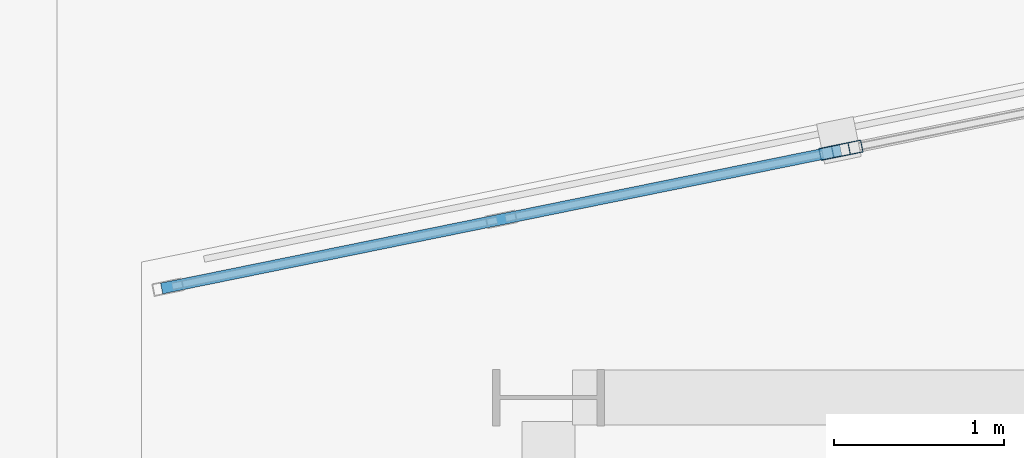
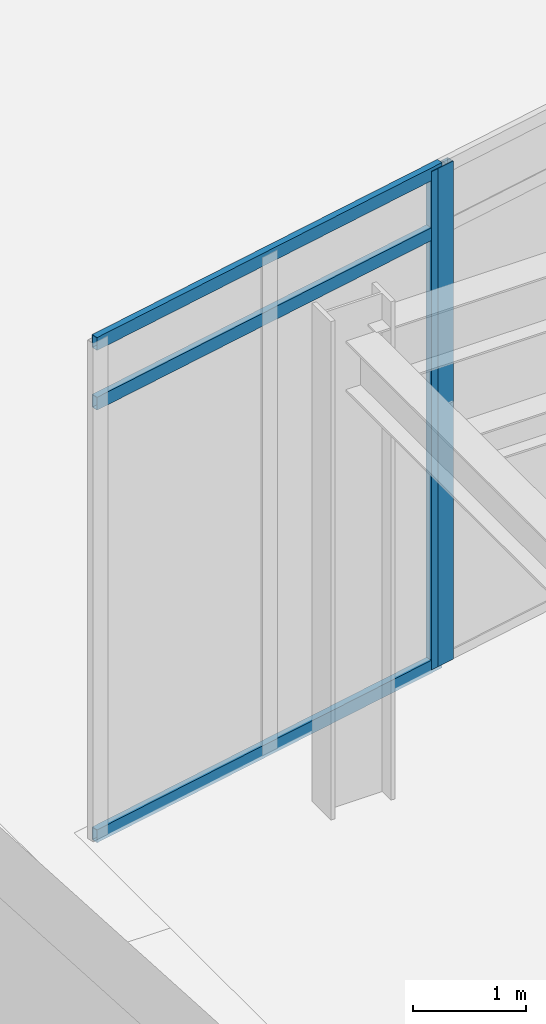
# One storey, part 44 of 94: 5 members, 2 elements without a shape of their own.
"""IFC4 building model written with IfcOpenShell, lengths in metres."""

from ifc_helpers import new_model, si_unit, direction, frame, origin, origin_2d, place, context, subcontext, project, spatial, hollow_rectangle, extrude, material, layer, layer_set, material_profile, profile_set, type_object, element, aggregate, save


model = new_model("IFC4")

# Units and contexts
model_context = context("Model", 3, precision=1e-05, world=origin(), true_north=direction((0.0, 1.0)))
body_context = subcontext(model_context, "Body", "Model", "MODEL_VIEW")
ifc_project = project(units=[si_unit("LENGTHUNIT", "METRE"), si_unit("AREAUNIT", "SQUARE_METRE"), si_unit("VOLUMEUNIT", "CUBIC_METRE"), si_unit("PLANEANGLEUNIT", "RADIAN"), si_unit("MASSUNIT", "GRAM", prefix="KILO")], contexts=[model_context])

# Site, building, storey
site_placement = place(None, origin())
site = spatial("IfcSite", under=ifc_project, at=site_placement, CompositionType="ELEMENT")
building_placement = place(site_placement, origin())
building = spatial("IfcBuilding", under=site, at=building_placement, Name="Sollismere Congress Hotel", CompositionType="ELEMENT")
storey_placement = place(building_placement, origin())
storey = spatial("IfcBuildingStorey", under=building, at=storey_placement, Name="L00", CompositionType="ELEMENT", Elevation=0.0)

# Curtain wall, member
ifc_material_1 = material(Name="Anodized Bronze Curtain Wall & Low-E Triple Glazing", Category="glass")
ifc_layer = layer(ifc_material_1, 0.199951171875, Name="Anodized Bronze Curtain Wall & Low-E Triple Glazing")
ifc_layer_set = layer_set([ifc_layer], Name="Anodized Bronze Curtain Wall & Low-E Triple Glazing")
curtain_wall_type = type_object("IfcCurtainWallType", Name="CW-GLZ36", PredefinedType="USERDEFINED", material=ifc_layer_set)
curtain_wall_1_placement = place(storey_placement, origin())
curtain_wall_1 = element("IfcCurtainWall", 1, at=curtain_wall_1_placement, inside=storey, type_object=curtain_wall_type, Name="Unitised curtain wall CW-L00-065", ObjectType="UNITISED CURTAIN WALL", PredefinedType="USERDEFINED")
ifc_material_2 = material(Name="Anodized Aluminum 6063-T6", Category="aluminium")
ifc_material_profile_1 = material_profile(ifc_material_2, hollow_rectangle(XDim=0.074951171875, YDim=0.179931640625, WallThickness=0.0048828125, at=origin_2d()), Name="ALU180X75X5")
ifc_profile_set_1 = profile_set([ifc_material_profile_1], Name="Anodized Aluminum 6063-T6")
member_type_1 = type_object("IfcMemberType", Name="ML-CW180", PredefinedType="MULLION", material=ifc_profile_set_1)
member_1_placement = place(storey_placement, frame((62.087890625, 103.851806640625, 0.0), z_axis=(0.0, 0.0, 1.0), x_axis=(-0.199367934417, 0.979924704621, 0.0)))
member_1 = element("IfcMember", 2, at=member_1_placement, type_object=member_type_1, Name="CWL-CW-L00-065-ML03", PredefinedType="MULLION", context=body_context, shape_type="SweptSolid", body=[
    extrude(hollow_rectangle(XDim=0.074951171875, YDim=0.179931640625, WallThickness=0.0048828125, at=origin_2d()), origin(), (0.0, 0.0, 1.0), 5.39990234375),
])

curtain_wall_2_placement = place(storey_placement, origin())
curtain_wall_2 = element("IfcCurtainWall", 3, at=curtain_wall_2_placement, inside=storey, type_object=curtain_wall_type, Name="Unitised curtain wall CW-L00-066", ObjectType="UNITISED CURTAIN WALL", PredefinedType="USERDEFINED")
member_2_placement = place(storey_placement, frame((62.162109375, 103.86669921875, 0.0), z_axis=(0.0, 0.0, 1.0), x_axis=(-0.199367934417, 0.979924704621, 0.0)))
member_2 = element("IfcMember", 4, at=member_2_placement, type_object=member_type_1, Name="CWL-CW-L00-066-ML01", PredefinedType="MULLION", context=body_context, shape_type="SweptSolid", body=[
    extrude(hollow_rectangle(XDim=0.074951171875, YDim=0.179931640625, WallThickness=0.0048828125, at=origin_2d()), origin(), (0.0, 0.0, 1.0), 5.39990234375),
])
aggregate(curtain_wall_2, [member_2])

# Member
ifc_material_profile_2 = material_profile(ifc_material_2, hollow_rectangle(XDim=0.06494140625, YDim=0.139892578125, WallThickness=0.00390625, at=origin_2d()), Name="ALU140X65X4")
ifc_profile_set_2 = profile_set([ifc_material_profile_2], Name="Anodized Aluminum 6063-T6")
member_type_2 = type_object("IfcMemberType", Name="TR-CW150", PredefinedType="MEMBER", material=ifc_profile_set_2)
member_3_placement = place(storey_placement, frame((58.11767578125, 103.0439453125, 0.032470703125), z_axis=(0.979918476409, 0.199398544609, 0.0), x_axis=(-0.199398544609, 0.979918476409, 0.0)))
member_3 = element("IfcMember", 5, at=member_3_placement, type_object=member_type_2, Name="CWL-CW-L00-065-TR1", PredefinedType="MEMBER", context=body_context, shape_type="SweptSolid", body=[
    extrude(hollow_rectangle(XDim=0.06494140625, YDim=0.139892578125, WallThickness=0.00390625, at=origin_2d()), origin(), (0.0, 0.0, 1.0), 4.08935546875),
])

member_4_placement = place(storey_placement, frame((58.11767578125, 103.0439453125, 4.719970703125), z_axis=(0.979918476409, 0.199398544609, 0.0), x_axis=(-0.199398544609, 0.979918476409, 0.0)))
member_4 = element("IfcMember", 6, at=member_4_placement, type_object=member_type_2, Name="CWL-CW-L00-065-TR2", PredefinedType="MEMBER", context=body_context, shape_type="SweptSolid", body=[
    extrude(hollow_rectangle(XDim=0.06494140625, YDim=0.139892578125, WallThickness=0.00390625, at=origin_2d()), origin(), (0.0, 0.0, 1.0), 4.08935546875),
])

member_5_placement = place(storey_placement, frame((58.11767578125, 103.0439453125, 5.367431640625), z_axis=(0.979918476409, 0.199398544609, 0.0), x_axis=(-0.199398544609, 0.979918476409, 0.0)))
member_5 = element("IfcMember", 7, at=member_5_placement, type_object=member_type_2, Name="CWL-CW-L00-065-TR3", PredefinedType="MEMBER", context=body_context, shape_type="SweptSolid", body=[
    extrude(hollow_rectangle(XDim=0.06494140625, YDim=0.139892578125, WallThickness=0.00390625, at=origin_2d()), origin(), (0.0, 0.0, 1.0), 4.08935546875),
])

aggregate(curtain_wall_1, [member_1, member_3, member_4, member_5])

save(model, "model.ifc")
